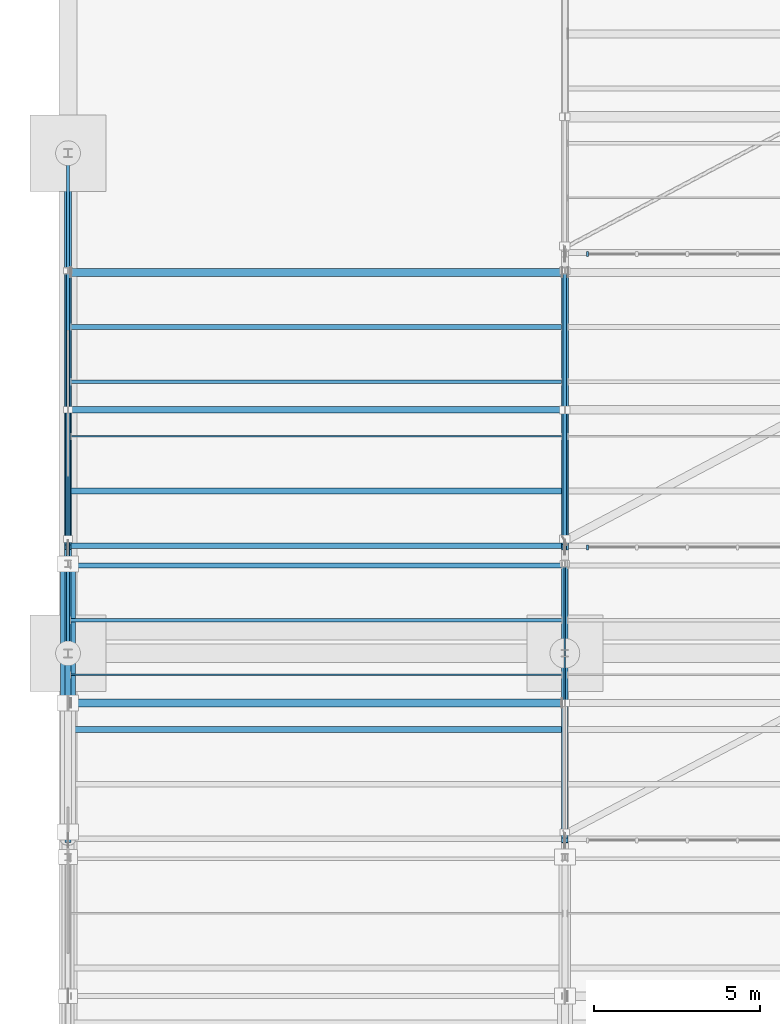
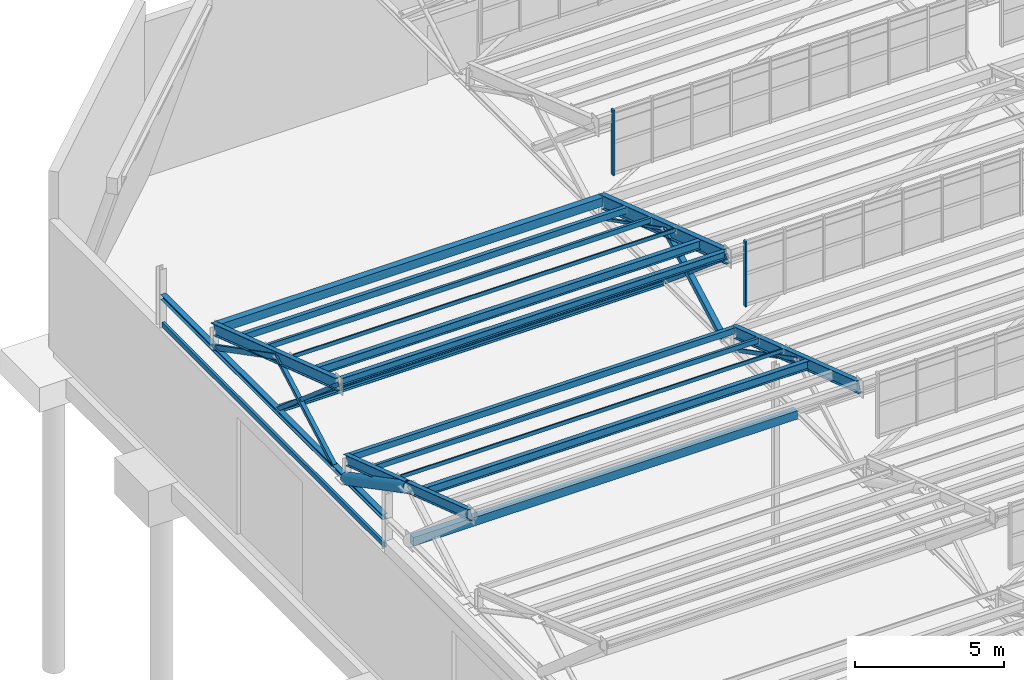
# One storey, part 65 of 285: 16 beams, 12 members, 2 elements without a shape of their own.
"""IFC4 building model written with IfcOpenShell, lengths in metres."""

from ifc_helpers import new_model, si_unit, direction, frame, origin, origin_2d, place, context, subcontext, project, spatial, rectangle, hollow_rectangle, hollow_circle, i_section, extrude, material, material_profile, profile_set, type_object, element, aggregate, save


model = new_model("IFC4")

# Units and contexts
model_context = context("Model", 3, precision=1e-05, world=origin(), true_north=direction((0.0, 1.0)))
body_context = subcontext(model_context, "Body", "Model", "MODEL_VIEW")
ifc_project = project(units=[si_unit("LENGTHUNIT", "METRE"), si_unit("AREAUNIT", "SQUARE_METRE"), si_unit("VOLUMEUNIT", "CUBIC_METRE"), si_unit("PLANEANGLEUNIT", "RADIAN"), si_unit("MASSUNIT", "GRAM", prefix="KILO")], contexts=[model_context])

# Site, building, storey
site_placement = place(None, origin())
site = spatial("IfcSite", under=ifc_project, at=site_placement, CompositionType="ELEMENT")
building_placement = place(site_placement, origin())
building = spatial("IfcBuilding", under=site, at=building_placement, Name="Solanera Park Tramway Depot", CompositionType="ELEMENT")
storey_placement = place(building_placement, origin())
storey = spatial("IfcBuildingStorey", under=building, at=storey_placement, Name="L00", CompositionType="ELEMENT", Elevation=0.0)

# Curtain wall, member
ifc_material_1 = material(Name="Bronze-anodised thermally broken aluminium curtain wall", Category="aluminium")
curtain_wall_type = type_object("IfcCurtainWallType", Name="Sawtooth Clerestory Monitor Curtain Wall", PredefinedType="NOTDEFINED", material=ifc_material_1)
curtain_wall_1_placement = place(storey_placement, origin())
curtain_wall_1 = element("IfcCurtainWall", 1, at=curtain_wall_1_placement, inside=storey, type_object=curtain_wall_type, Name="L00 Sawtooth Clerestory Monitor Curtain Wall #052", PredefinedType="NOTDEFINED")
ifc_material_2 = material(Name="Bronze-anodised structural aluminium 6063-T6", Category="aluminium")
ifc_material_profile_1 = material_profile(ifc_material_2, rectangle(XDim=0.06494140625, YDim=0.14990234375, at=origin_2d()), Name="Curtain Wall Mullion 65x150")
ifc_profile_set_1 = profile_set([ifc_material_profile_1], Name="Bronze-anodised structural aluminium 6063-T6")
member_type_1 = type_object("IfcMemberType", Name="Curtain Wall Mullion 65x150", PredefinedType="MULLION", material=ifc_profile_set_1)
member_1_placement = place(storey_placement, frame((15.6826171875, 117.699951171875, 7.75), z_axis=(0.0, 0.0, 1.0), x_axis=(1.0, 0.0, 0.0)))
member_1 = element("IfcMember", 2, at=member_1_placement, type_object=member_type_1, Name="CW-L00-052 Mullion 1", PredefinedType="MULLION", context=body_context, shape_type="SweptSolid", body=[
    extrude(rectangle(XDim=0.06494140625, YDim=0.14990234375, at=origin_2d()), origin(), (0.0, 0.0, 1.0), 2.6611328125),
])
aggregate(curtain_wall_1, [member_1])

curtain_wall_2_placement = place(storey_placement, origin())
curtain_wall_2 = element("IfcCurtainWall", 3, at=curtain_wall_2_placement, inside=storey, type_object=curtain_wall_type, Name="L00 Sawtooth Clerestory Monitor Curtain Wall #060", PredefinedType="NOTDEFINED")
member_2_placement = place(storey_placement, frame((15.6826171875, 126.550048828125, 7.75), z_axis=(0.0, 0.0, 1.0), x_axis=(1.0, 0.0, 0.0)))
member_2 = element("IfcMember", 4, at=member_2_placement, type_object=member_type_1, Name="CW-L00-060 Mullion 1", PredefinedType="MULLION", context=body_context, shape_type="SweptSolid", body=[
    extrude(rectangle(XDim=0.06494140625, YDim=0.14990234375, at=origin_2d()), origin(), (0.0, 0.0, 1.0), 2.6611328125),
])
aggregate(curtain_wall_2, [member_2])

# Beam
ifc_material_3 = material(Name="Steel AS/NZS 1163 Grade C350L0", Category="steel")
ifc_material_profile_2 = material_profile(ifc_material_3, hollow_rectangle(XDim=0.10009765625, YDim=0.199951171875, WallThickness=0.006103515625, at=origin_2d()), Name="200x100x6.0 RHS")
ifc_profile_set_2 = profile_set([ifc_material_profile_2], Name="Steel AS/NZS 1163 Grade C350L0")
beam_type_1 = type_object("IfcBeamType", Name="Opening Lintel Beam 200x100x6.0 RHS", PredefinedType="LINTEL", material=ifc_profile_set_2)
beam_1_placement = place(storey_placement, frame((0.0, 114.6201171875, 5.35009765625), z_axis=(0.0, 1.0, 0.0), x_axis=(-1.0, 0.0, 0.0)))
element("IfcBeam", 5, at=beam_1_placement, inside=storey, type_object=beam_type_1, Name="L00 Portal Transom Lintel 200x100x6.0 RHS #0297", PredefinedType="LINTEL", context=body_context, shape_type="SweptSolid", body=[
    extrude(hollow_rectangle(XDim=0.10009765625, YDim=0.199951171875, WallThickness=0.006103515625, at=origin_2d()), origin(), (0.0, 0.0, 1.0), 14.85986328125),
])

# Members
ifc_material_4 = material(Name="Steel AS/NZS 1163 Grade C350L0", Category="steel")
ifc_material_profile_3 = material_profile(ifc_material_4, hollow_rectangle(XDim=0.14990234375, YDim=0.14990234375, WallThickness=0.006103515625, at=origin_2d()), Name="150x150x6.0 SHS")
ifc_profile_set_3 = profile_set([ifc_material_profile_3], Name="Steel AS/NZS 1163 Grade C350L0")
member_type_2 = type_object("IfcMemberType", Name="Roof Gantry Compression Strut 150x150x6.0 SHS", PredefinedType="STRUT", material=ifc_profile_set_3)
member_3_placement = place(storey_placement, frame((0.0, 117.949951171875, 6.5), z_axis=(0.0, 0.874087581692, 0.485768359954), x_axis=(-1.0, 0.0, 0.0)))
element("IfcMember", 6, at=member_3_placement, inside=storey, type_object=member_type_2, Name="Sawtooth ROOF TRUSS Strut 150x150x6.0 SHS #0322", PredefinedType="STRUT", context=body_context, shape_type="SweptSolid", body=[
    extrude(hollow_rectangle(XDim=0.14990234375, YDim=0.14990234375, WallThickness=0.006103515625, at=origin_2d()), origin(), (0.0, 0.0, 1.0), 4.4619140625),
])
ifc_material_5 = material(Name="Steel AS/NZS 1163 Grade C350L0", Category="steel")
ifc_material_profile_4 = material_profile(ifc_material_5, hollow_rectangle(XDim=0.199951171875, YDim=0.199951171875, WallThickness=0.008056640625, at=origin_2d()), Name="200x200x8.0 SHS")
ifc_profile_set_4 = profile_set([ifc_material_profile_4], Name="Steel AS/NZS 1163 Grade C350L0")
member_type_3 = type_object("IfcMemberType", Name="Roof Gantry Compression Strut 200x200x8.0 SHS", PredefinedType="STRUT", material=ifc_profile_set_4)
member_4_placement = place(storey_placement, frame((15.0, 117.949951171875, 6.5), z_axis=(0.0, 0.877679219611, 0.479248565425), x_axis=(-1.0, 0.0, 0.0)))
element("IfcMember", 7, at=member_4_placement, inside=storey, type_object=member_type_3, Name="Sawtooth ROOF TRUSS Strut 200x200x8.0 SHS #0325", PredefinedType="STRUT", context=body_context, shape_type="SweptSolid", body=[
    extrude(hollow_rectangle(XDim=0.199951171875, YDim=0.199951171875, WallThickness=0.008056640625, at=origin_2d()), origin(), (0.0, 0.0, 1.0), 4.443603515625),
])
ifc_material_6 = material(Name="Steel AS/NZS 3679.1 Grade 350", Category="steel")
ifc_material_profile_5 = material_profile(ifc_material_6, i_section(OverallWidth=0.203369140625, OverallDepth=0.203369140625, WebThickness=0.00732421875, FlangeThickness=0.010986328125, at=origin_2d()), Name="200UC46.2")
ifc_profile_set_5 = profile_set([ifc_material_profile_5], Name="Steel AS/NZS 3679.1 Grade 350")
member_type_4 = type_object("IfcMemberType", Name="Secondary Truss Chord 200UC46.2", PredefinedType="CHORD", material=ifc_profile_set_5)
member_5_placement = place(storey_placement, frame((0.087890625, 121.85009765625, 6.5), z_axis=(1.0, 0.0, 0.0), x_axis=(0.0, 1.0, 0.0)))
element("IfcMember", 8, at=member_5_placement, inside=storey, type_object=member_type_4, Name="Sawtooth Longitudinal Tie Chord 200UC46.2 #0353", PredefinedType="CHORD", context=body_context, shape_type="SweptSolid", body=[
    extrude(i_section(OverallWidth=0.203369140625, OverallDepth=0.203369140625, WebThickness=0.00732421875, FlangeThickness=0.010986328125, at=origin_2d()), origin(), (0.0, 0.0, 1.0), 14.82421875),
])
ifc_material_7 = material(Name="Steel AS/NZS 1163 Grade C350L0", Category="steel")
ifc_material_profile_6 = material_profile(ifc_material_7, hollow_rectangle(XDim=0.25, YDim=0.35009765625, WallThickness=0.010009765625, at=origin_2d()), Name="350x250x10.0 RHS")
ifc_profile_set_6 = profile_set([ifc_material_profile_6], Name="Steel AS/NZS 1163 Grade C350L0")
member_type_5 = type_object("IfcMemberType", Name="Secondary Truss Chord 350x250x10.0 RHS", PredefinedType="CHORD", material=ifc_profile_set_6)
member_6_placement = place(storey_placement, frame((0.087890625, 113.0, 6.5), z_axis=(1.0, 0.0, 0.0), x_axis=(0.0, 1.0, 0.0)))
element("IfcMember", 9, at=member_6_placement, inside=storey, type_object=member_type_5, Name="Sawtooth Longitudinal Tie Chord 350x250x10.0 RHS #0306", PredefinedType="CHORD", context=body_context, shape_type="SweptSolid", body=[
    extrude(hollow_rectangle(XDim=0.25, YDim=0.35009765625, WallThickness=0.010009765625, at=origin_2d()), origin(), (0.0, 0.0, 1.0), 14.82421875),
])

# Beams
ifc_material_8 = material(Name="Steel AS/NZS 3679.1 Grade 350", Category="steel")
ifc_material_profile_7 = material_profile(ifc_material_8, i_section(OverallWidth=0.203369140625, OverallDepth=0.203369140625, WebThickness=0.00732421875, FlangeThickness=0.010986328125, at=origin_2d()), Name="200UC46.2")
ifc_profile_set_7 = profile_set([ifc_material_profile_7], Name="Steel AS/NZS 3679.1 Grade 350")
beam_type_2 = type_object("IfcBeamType", Name="Steel Beam 200UC46.2", PredefinedType="BEAM", material=ifc_profile_set_7)
beam_2_placement = place(storey_placement, frame((0.0, 114.627685546875, 6.5), z_axis=(0.0, 1.0, 0.0), x_axis=(-1.0, 0.0, 0.0)))
element("IfcBeam", 10, at=beam_2_placement, inside=storey, type_object=beam_type_2, Name="Sawtooth ROOF TRUSS Bottom Chord 200UC46.2 #0369", PredefinedType="BEAM", context=body_context, shape_type="SweptSolid", body=[
    extrude(i_section(OverallWidth=0.203369140625, OverallDepth=0.203369140625, WebThickness=0.00732421875, FlangeThickness=0.010986328125, at=origin_2d()), origin(), (0.0, 0.0, 1.0), 14.845458984375),
])
ifc_material_9 = material(Name="Steel AS/NZS 3679.1 Grade 350", Category="steel")
ifc_material_profile_8 = material_profile(ifc_material_9, i_section(OverallWidth=0.177734375, OverallDepth=0.406494140625, WebThickness=0.0078125, FlangeThickness=0.0126953125, at=origin_2d()), Name="410UB59.7")
ifc_profile_set_8 = profile_set([ifc_material_profile_8], Name="Steel AS/NZS 3679.1 Grade 350")
beam_type_3 = type_object("IfcBeamType", Name="Steel Beam 410UB59.7", PredefinedType="BEAM", material=ifc_profile_set_8)
beam_3_placement = place(storey_placement, frame((0.0, 108.85009765625, 10.08154296875), z_axis=(0.0, 0.948319437663, -0.317317261034), x_axis=(-1.0, 0.0, 0.0)))
element("IfcBeam", 11, at=beam_3_placement, inside=storey, type_object=beam_type_3, Name="Sawtooth ROOF TRUSS Top Rafter 410UB59.7 B07-T1", PredefinedType="BEAM", context=body_context, shape_type="SweptSolid", body=[
    extrude(i_section(OverallWidth=0.177734375, OverallDepth=0.406494140625, WebThickness=0.0078125, FlangeThickness=0.0126953125, at=origin_2d()), origin(), (0.0, 0.0, 1.0), 8.804931640625),
])
ifc_material_10 = material(Name="Steel AS/NZS 3679.1 Grade 350", Category="steel")
ifc_material_profile_9 = material_profile(ifc_material_10, i_section(OverallWidth=0.1904296875, OverallDepth=0.45751953125, WebThickness=0.009033203125, FlangeThickness=0.014404296875, at=origin_2d()), Name="460UB74.6")
ifc_profile_set_9 = profile_set([ifc_material_profile_9], Name="Steel AS/NZS 3679.1 Grade 350")
beam_type_4 = type_object("IfcBeamType", Name="Steel Beam 460UB74.6", PredefinedType="BEAM", material=ifc_profile_set_9)
beam_4_placement = place(storey_placement, frame((15.0, 108.85009765625, 10.05615234375), z_axis=(0.0, 0.948319437663, -0.317317261034), x_axis=(-1.0, 0.0, 0.0)))
element("IfcBeam", 12, at=beam_4_placement, inside=storey, type_object=beam_type_4, Name="Sawtooth ROOF TRUSS Top Rafter 460UB74.6 B07-T2", PredefinedType="BEAM", context=body_context, shape_type="SweptSolid", body=[
    extrude(i_section(OverallWidth=0.1904296875, OverallDepth=0.45751953125, WebThickness=0.009033203125, FlangeThickness=0.014404296875, at=origin_2d()), origin(), (0.0, 0.0, 1.0), 8.804931640625),
])
beam_5_placement = place(storey_placement, frame((0.0, 117.699951171875, 10.05615234375), z_axis=(0.0, 0.948322229475, -0.317308917435), x_axis=(-1.0, 0.0, 0.0)))
element("IfcBeam", 13, at=beam_5_placement, inside=storey, type_object=beam_type_4, Name="Sawtooth ROOF TRUSS Top Rafter 460UB74.6 B08-T1", PredefinedType="BEAM", context=body_context, shape_type="SweptSolid", body=[
    extrude(i_section(OverallWidth=0.1904296875, OverallDepth=0.45751953125, WebThickness=0.009033203125, FlangeThickness=0.014404296875, at=origin_2d()), origin(), (0.0, 0.0, 1.0), 8.80517578125),
])
ifc_material_11 = material(Name="Steel AS/NZS 3679.1 Grade 350", Category="steel")
ifc_material_profile_10 = material_profile(ifc_material_11, i_section(OverallWidth=0.209228515625, OverallDepth=0.532958984375, WebThickness=0.01025390625, FlangeThickness=0.015625, at=origin_2d()), Name="530UB92.4")
ifc_profile_set_10 = profile_set([ifc_material_profile_10], Name="Steel AS/NZS 3679.1 Grade 350")
beam_type_5 = type_object("IfcBeamType", Name="Steel Beam 530UB92.4", PredefinedType="BEAM", material=ifc_profile_set_10)
beam_6_placement = place(storey_placement, frame((15.0, 117.699951171875, 10.018310546875), z_axis=(0.0, 0.948322229475, -0.317308917435), x_axis=(-1.0, 0.0, 0.0)))
element("IfcBeam", 14, at=beam_6_placement, inside=storey, type_object=beam_type_5, Name="Sawtooth ROOF TRUSS Top Rafter 530UB92.4 B08-T2", PredefinedType="BEAM", context=body_context, shape_type="SweptSolid", body=[
    extrude(i_section(OverallWidth=0.209228515625, OverallDepth=0.532958984375, WebThickness=0.01025390625, FlangeThickness=0.015625, at=origin_2d()), origin(), (0.0, 0.0, 1.0), 8.80517578125),
])
ifc_material_12 = material(Name="Steel AS/NZS 1163 Grade C350L0", Category="steel")
ifc_material_profile_11 = material_profile(ifc_material_12, hollow_rectangle(XDim=0.050048828125, YDim=0.14990234375, WallThickness=0.0048828125, at=origin_2d()), Name="150x50x5.0 RHS")
ifc_profile_set_11 = profile_set([ifc_material_profile_11], Name="Steel AS/NZS 1163 Grade C350L0")
beam_type_6 = type_object("IfcBeamType", Name="Steel Joist Purlin 150x50x5.0 RHS", PredefinedType="JOIST", material=ifc_profile_set_11)
beam_7_placement = place(storey_placement, frame((0.080810546875, 113.85009765625, 8.550537109375), z_axis=(1.0, 0.0, 0.0), x_axis=(0.0, 1.0, 0.0)))
element("IfcBeam", 15, at=beam_7_placement, inside=storey, type_object=beam_type_6, Name="Sawtooth Roof Purlin 150x50x5.0 RHS B07.4", PredefinedType="JOIST", context=body_context, shape_type="SweptSolid", body=[
    extrude(hollow_rectangle(XDim=0.050048828125, YDim=0.14990234375, WallThickness=0.0048828125, at=origin_2d()), origin(), (0.0, 0.0, 1.0), 14.83203125),
])
beam_8_placement = place(storey_placement, frame((0.087158203125, 121.050048828125, 9.1025390625), z_axis=(1.0, 0.0, 0.0), x_axis=(0.0, 1.0, 0.0)))
element("IfcBeam", 16, at=beam_8_placement, inside=storey, type_object=beam_type_6, Name="Sawtooth Roof Purlin 150x50x5.0 RHS B08.3", PredefinedType="JOIST", context=body_context, shape_type="SweptSolid", body=[
    extrude(hollow_rectangle(XDim=0.050048828125, YDim=0.14990234375, WallThickness=0.0048828125, at=origin_2d()), origin(), (0.0, 0.0, 1.0), 14.816162109375),
])
ifc_material_13 = material(Name="Steel AS/NZS 1163 Grade C350L0", Category="steel")
ifc_material_profile_12 = material_profile(ifc_material_13, hollow_rectangle(XDim=0.10009765625, YDim=0.199951171875, WallThickness=0.006103515625, at=origin_2d()), Name="200x100x6.0 RHS")
ifc_profile_set_12 = profile_set([ifc_material_profile_12], Name="Steel AS/NZS 1163 Grade C350L0")
beam_type_7 = type_object("IfcBeamType", Name="Steel Joist Purlin 200x100x6.0 RHS", PredefinedType="JOIST", material=ifc_profile_set_12)
beam_9_placement = place(storey_placement, frame((0.080810546875, 115.5, 7.965087890625), z_axis=(1.0, 0.0, 0.0), x_axis=(0.0, 1.0, 0.0)))
element("IfcBeam", 17, at=beam_9_placement, inside=storey, type_object=beam_type_7, Name="Sawtooth Roof Purlin 200x100x6.0 RHS B07.5", PredefinedType="JOIST", context=body_context, shape_type="SweptSolid", body=[
    extrude(hollow_rectangle(XDim=0.10009765625, YDim=0.199951171875, WallThickness=0.006103515625, at=origin_2d()), origin(), (0.0, 0.0, 1.0), 14.83203125),
])
beam_10_placement = place(storey_placement, frame((0.087158203125, 122.699951171875, 8.51708984375), z_axis=(1.0, 0.0, 0.0), x_axis=(0.0, 1.0, 0.0)))
element("IfcBeam", 18, at=beam_10_placement, inside=storey, type_object=beam_type_7, Name="Sawtooth Roof Purlin 200x100x6.0 RHS B08.4", PredefinedType="JOIST", context=body_context, shape_type="SweptSolid", body=[
    extrude(hollow_rectangle(XDim=0.10009765625, YDim=0.199951171875, WallThickness=0.006103515625, at=origin_2d()), origin(), (0.0, 0.0, 1.0), 14.816162109375),
])
ifc_material_14 = material(Name="Steel AS/NZS 1163 Grade C350L0", Category="steel")
ifc_material_profile_13 = material_profile(ifc_material_14, hollow_rectangle(XDim=0.14990234375, YDim=0.25, WallThickness=0.008056640625, at=origin_2d()), Name="250x150x8.0 RHS")
ifc_profile_set_13 = profile_set([ifc_material_profile_13], Name="Steel AS/NZS 1163 Grade C350L0")
beam_type_8 = type_object("IfcBeamType", Name="Steel Joist Purlin 250x150x8.0 RHS", PredefinedType="JOIST", material=ifc_profile_set_13)
beam_11_placement = place(storey_placement, frame((0.080810546875, 117.14990234375, 7.379638671875), z_axis=(1.0, 0.0, 0.0), x_axis=(0.0, 1.0, 0.0)))
element("IfcBeam", 19, at=beam_11_placement, inside=storey, type_object=beam_type_8, Name="Sawtooth Roof Purlin 250x150x8.0 RHS B07.6", PredefinedType="JOIST", context=body_context, shape_type="SweptSolid", body=[
    extrude(hollow_rectangle(XDim=0.14990234375, YDim=0.25, WallThickness=0.008056640625, at=origin_2d()), origin(), (0.0, 0.0, 1.0), 14.83203125),
])
beam_12_placement = place(storey_placement, frame((0.087158203125, 124.35009765625, 7.931640625), z_axis=(1.0, 0.0, 0.0), x_axis=(0.0, 1.0, 0.0)))
element("IfcBeam", 20, at=beam_12_placement, inside=storey, type_object=beam_type_8, Name="Sawtooth Roof Purlin 250x150x8.0 RHS B08.5", PredefinedType="JOIST", context=body_context, shape_type="SweptSolid", body=[
    extrude(hollow_rectangle(XDim=0.14990234375, YDim=0.25, WallThickness=0.008056640625, at=origin_2d()), origin(), (0.0, 0.0, 1.0), 14.816162109375),
])
ifc_material_15 = material(Name="Steel AS/NZS 3679.1 Grade 350", Category="steel")
ifc_material_profile_14 = material_profile(ifc_material_15, i_section(OverallWidth=0.166015625, OverallDepth=0.30712890625, WebThickness=0.006591796875, FlangeThickness=0.01171875, at=origin_2d()), Name="310UB46.2")
ifc_profile_set_14 = profile_set([ifc_material_profile_14], Name="Steel AS/NZS 3679.1 Grade 350")
beam_type_9 = type_object("IfcBeamType", Name="Steel Joist Purlin 310UB46.2", PredefinedType="JOIST", material=ifc_profile_set_14)
beam_13_placement = place(storey_placement, frame((0.087158203125, 117.75, 10.108642578125), z_axis=(1.0, 0.0, 0.0), x_axis=(0.0, 1.0, 0.0)))
element("IfcBeam", 21, at=beam_13_placement, inside=storey, type_object=beam_type_9, Name="Sawtooth Roof Purlin 310UB46.2 B08.1", PredefinedType="JOIST", context=body_context, shape_type="SweptSolid", body=[
    extrude(i_section(OverallWidth=0.166015625, OverallDepth=0.30712890625, WebThickness=0.006591796875, FlangeThickness=0.01171875, at=origin_2d()), origin(), (0.0, 0.0, 1.0), 14.816162109375),
])
ifc_material_16 = material(Name="Steel AS/NZS 1163 Grade C350L0", Category="steel")
ifc_material_profile_15 = material_profile(ifc_material_16, hollow_rectangle(XDim=0.25, YDim=0.35009765625, WallThickness=0.010009765625, at=origin_2d()), Name="350x250x10.0 RHS")
ifc_profile_set_15 = profile_set([ifc_material_profile_15], Name="Steel AS/NZS 1163 Grade C350L0")
beam_type_10 = type_object("IfcBeamType", Name="Steel Joist Purlin 350x250x10.0 RHS", PredefinedType="JOIST", material=ifc_profile_set_15)
beam_14_placement = place(storey_placement, frame((0.087158203125, 126.0, 7.312744140625), z_axis=(1.0, 0.0, 0.0), x_axis=(0.0, 1.0, 0.0)))
element("IfcBeam", 22, at=beam_14_placement, inside=storey, type_object=beam_type_10, Name="Sawtooth Roof Purlin 350x250x10.0 RHS B08.6", PredefinedType="JOIST", context=body_context, shape_type="SweptSolid", body=[
    extrude(hollow_rectangle(XDim=0.25, YDim=0.35009765625, WallThickness=0.010009765625, at=origin_2d()), origin(), (0.0, 0.0, 1.0), 14.816162109375),
])
ifc_material_17 = material(Name="Steel AS/NZS 3679.1 Grade 350", Category="steel")
ifc_material_profile_16 = material_profile(ifc_material_17, i_section(OverallWidth=0.17138671875, OverallDepth=0.355712890625, WebThickness=0.00732421875, FlangeThickness=0.011474609375, at=origin_2d()), Name="360UB50.7")
ifc_profile_set_16 = profile_set([ifc_material_profile_16], Name="Steel AS/NZS 3679.1 Grade 350")
beam_type_11 = type_object("IfcBeamType", Name="Steel Joist Purlin 360UB50.7", PredefinedType="JOIST", material=ifc_profile_set_16)
beam_15_placement = place(storey_placement, frame((0.080810546875, 112.199951171875, 8.9794921875), z_axis=(1.0, 0.0, 0.0), x_axis=(0.0, 1.0, 0.0)))
element("IfcBeam", 23, at=beam_15_placement, inside=storey, type_object=beam_type_11, Name="Sawtooth Roof Purlin 360UB50.7 B07.3", PredefinedType="JOIST", context=body_context, shape_type="SweptSolid", body=[
    extrude(i_section(OverallWidth=0.17138671875, OverallDepth=0.355712890625, WebThickness=0.00732421875, FlangeThickness=0.011474609375, at=origin_2d()), origin(), (0.0, 0.0, 1.0), 14.83203125),
])
beam_16_placement = place(storey_placement, frame((0.087158203125, 119.39990234375, 9.531494140625), z_axis=(1.0, 0.0, 0.0), x_axis=(0.0, 1.0, 0.0)))
element("IfcBeam", 24, at=beam_16_placement, inside=storey, type_object=beam_type_11, Name="Sawtooth Roof Purlin 360UB50.7 B08.2", PredefinedType="JOIST", context=body_context, shape_type="SweptSolid", body=[
    extrude(i_section(OverallWidth=0.17138671875, OverallDepth=0.355712890625, WebThickness=0.00732421875, FlangeThickness=0.011474609375, at=origin_2d()), origin(), (0.0, 0.0, 1.0), 14.816162109375),
])

# Members
ifc_material_18 = material(Name="Steel AS/NZS 1163 Grade C350L0", Category="steel")
ifc_material_profile_17 = material_profile(ifc_material_18, hollow_rectangle(XDim=0.10009765625, YDim=0.10009765625, WallThickness=0.0048828125, at=origin_2d()), Name="100x100x5.0 SHS")
ifc_profile_set_17 = profile_set([ifc_material_profile_17], Name="Steel AS/NZS 1163 Grade C350L0")
member_type_6 = type_object("IfcMemberType", Name="Truss and Frame Brace 100x100x5.0 SHS", PredefinedType="BRACE", material=ifc_profile_set_17)
member_7_placement = place(storey_placement, frame((15.0, 126.050048828125, 6.5), z_axis=(0.0, -0.891893316909, 0.452245852665), x_axis=(1.0, 0.0, 0.0)))
element("IfcMember", 25, at=member_7_placement, inside=storey, type_object=member_type_6, Name="Sawtooth ROOF TRUSS Diagonal 100x100x5.0 SHS #0324", PredefinedType="BRACE", context=body_context, shape_type="SweptSolid", body=[
    extrude(hollow_rectangle(XDim=0.10009765625, YDim=0.10009765625, WallThickness=0.0048828125, at=origin_2d()), origin(), (0.0, 0.0, 1.0), 4.708984375),
])
ifc_material_19 = material(Name="Steel AS/NZS 1163 Grade C350L0", Category="steel")
ifc_material_profile_18 = material_profile(ifc_material_19, hollow_rectangle(XDim=0.050048828125, YDim=0.14990234375, WallThickness=0.0048828125, at=origin_2d()), Name="150x50x5.0 RHS")
ifc_profile_set_18 = profile_set([ifc_material_profile_18], Name="Steel AS/NZS 1163 Grade C350L0")
member_type_7 = type_object("IfcMemberType", Name="Truss and Frame Brace 150x50x5.0 RHS", PredefinedType="BRACE", material=ifc_profile_set_18)
member_8_placement = place(storey_placement, frame((15.0, 117.199951171875, 6.5), z_axis=(0.0, -0.888641030015, 0.458603445008), x_axis=(1.0, 0.0, 0.0)))
element("IfcMember", 26, at=member_8_placement, inside=storey, type_object=member_type_7, Name="Sawtooth ROOF TRUSS Diagonal 150x50x5.0 RHS #0277", PredefinedType="BRACE", context=body_context, shape_type="SweptSolid", body=[
    extrude(hollow_rectangle(XDim=0.050048828125, YDim=0.14990234375, WallThickness=0.0048828125, at=origin_2d()), origin(), (0.0, 0.0, 1.0), 4.726318359375),
])
member_9_placement = place(storey_placement, frame((0.0, 121.85009765625, 6.5), z_axis=(0.0, -0.759357496503, 0.650673645159), x_axis=(1.0, 0.0, 0.0)))
element("IfcMember", 27, at=member_9_placement, inside=storey, type_object=member_type_7, Name="Sawtooth ROOF TRUSS Web Brace 150x50x5.0 RHS #0320", PredefinedType="BRACE", context=body_context, shape_type="SweptSolid", body=[
    extrude(hollow_rectangle(XDim=0.050048828125, YDim=0.14990234375, WallThickness=0.0048828125, at=origin_2d()), origin(), (0.0, 0.0, 1.0), 5.46533203125),
])
ifc_material_20 = material(Name="Steel AS/NZS 1163 Grade C350L0", Category="steel")
ifc_material_profile_19 = material_profile(ifc_material_20, hollow_rectangle(XDim=0.10009765625, YDim=0.199951171875, WallThickness=0.006103515625, at=origin_2d()), Name="200x100x6.0 RHS")
ifc_profile_set_19 = profile_set([ifc_material_profile_19], Name="Steel AS/NZS 1163 Grade C350L0")
member_type_8 = type_object("IfcMemberType", Name="Truss and Frame Brace 200x100x6.0 RHS", PredefinedType="BRACE", material=ifc_profile_set_19)
member_10_placement = place(storey_placement, frame((0.0, 126.050048828125, 6.5), z_axis=(0.0, -0.888641030015, 0.458603445008), x_axis=(1.0, 0.0, 0.0)))
element("IfcMember", 28, at=member_10_placement, inside=storey, type_object=member_type_8, Name="Sawtooth ROOF TRUSS Diagonal 200x100x6.0 RHS #0321", PredefinedType="BRACE", context=body_context, shape_type="SweptSolid", body=[
    extrude(hollow_rectangle(XDim=0.10009765625, YDim=0.199951171875, WallThickness=0.006103515625, at=origin_2d()), origin(), (0.0, 0.0, 1.0), 4.726318359375),
])
member_11_placement = place(storey_placement, frame((15.0, 121.85009765625, 6.5), z_axis=(0.0, -0.762783427217, 0.646654036686), x_axis=(1.0, 0.0, 0.0)))
element("IfcMember", 29, at=member_11_placement, inside=storey, type_object=member_type_8, Name="Sawtooth ROOF TRUSS Web Brace 200x100x6.0 RHS #0323", PredefinedType="BRACE", context=body_context, shape_type="SweptSolid", body=[
    extrude(hollow_rectangle(XDim=0.10009765625, YDim=0.199951171875, WallThickness=0.006103515625, at=origin_2d()), origin(), (0.0, 0.0, 1.0), 5.440673828125),
])
ifc_material_21 = material(Name="Steel AS/NZS 1163 Grade C350L0", Category="steel")
ifc_material_profile_20 = material_profile(ifc_material_21, hollow_circle(Radius=0.228515625, WallThickness=0.0126953125, at=origin_2d()), Name="457.0x12.7 CHS")
ifc_profile_set_20 = profile_set([ifc_material_profile_20], Name="Steel AS/NZS 1163 Grade C350L0")
member_type_9 = type_object("IfcMemberType", Name="Truss and Frame Brace 457.0x12.7 CHS", PredefinedType="BRACE", material=ifc_profile_set_20)
member_12_placement = place(storey_placement, frame((0.0, 117.199951171875, 6.5), z_axis=(0.0, -0.886425847493, 0.462870626521), x_axis=(1.0, 0.0, 0.0)))
element("IfcMember", 30, at=member_12_placement, inside=storey, type_object=member_type_9, Name="Sawtooth ROOF TRUSS Diagonal 457.0x12.7 CHS #0274", PredefinedType="BRACE", context=body_context, shape_type="SweptSolid", body=[
    extrude(hollow_circle(Radius=0.228515625, WallThickness=0.0126953125, at=origin_2d()), origin(), (0.0, 0.0, 1.0), 4.738037109375),
])

save(model, "model.ifc")
